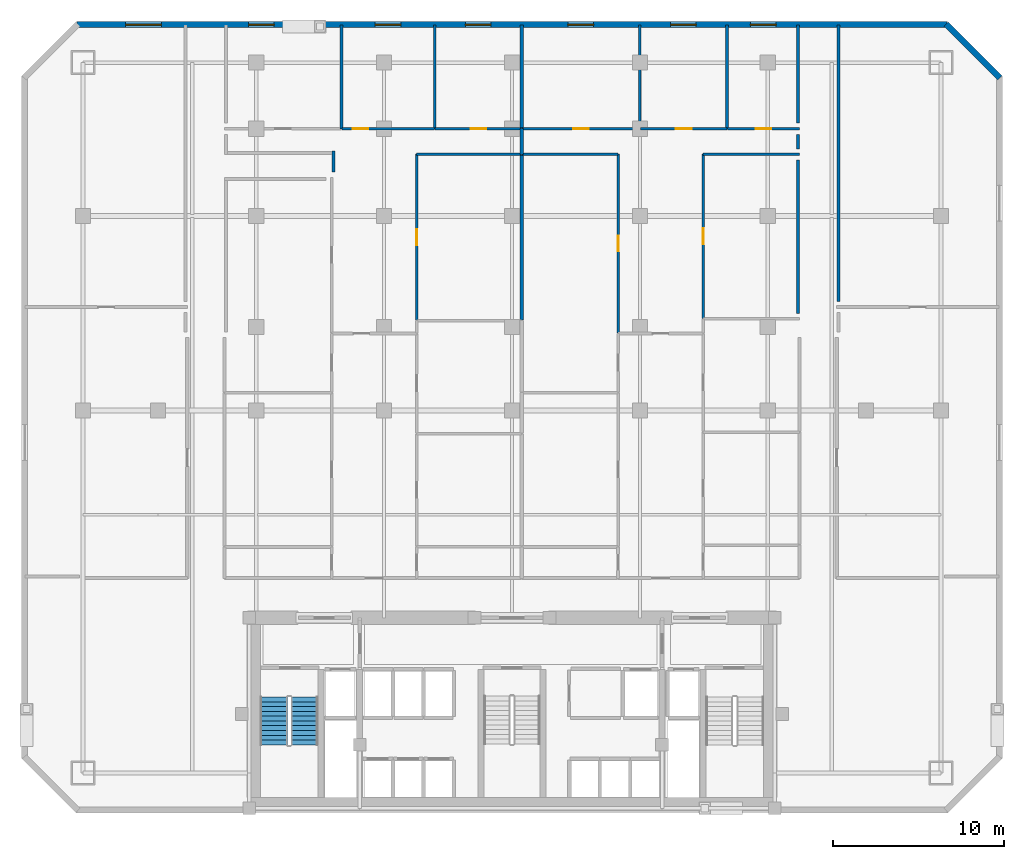
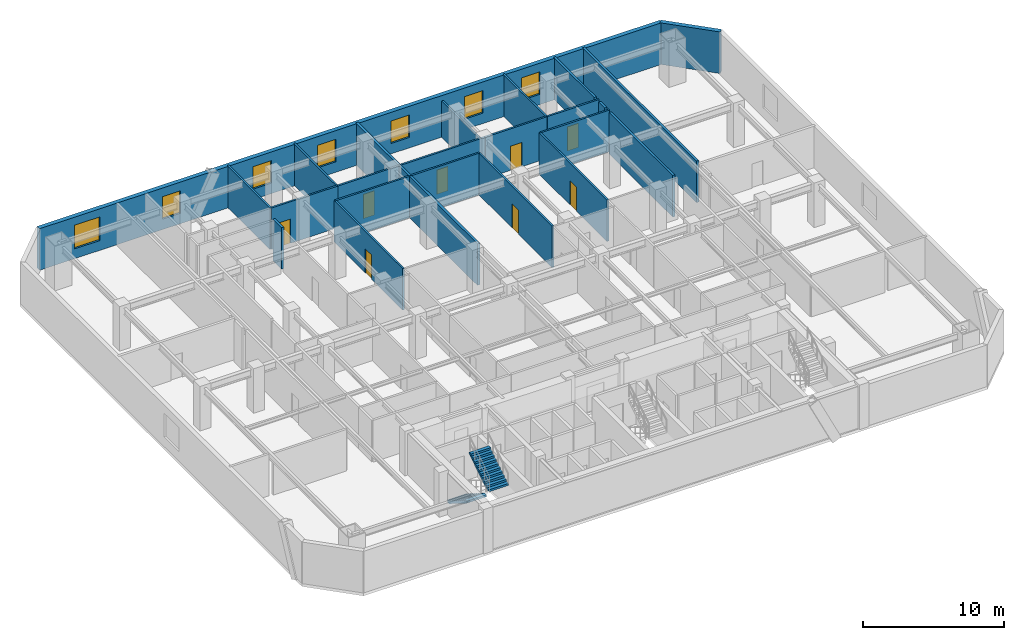
# One storey, part 6 of 8: 25 walls, 8 doors, 7 windows, 2 stair flights, 15 openings, 1 element without a shape of its own.
"""IFC4 building model written with IfcOpenShell, lengths in metres."""

from ifc_helpers import new_model, si_unit, direction, frame, frame_2d, origin, place, context, subcontext, project, spatial, polyline, rectangle, outline, extrude, material, layer, layer_set, type_object, element, fill, aggregate, save


model = new_model("IFC4")

# Units and contexts
model_context = context("Model", 3, precision=1e-05, world=origin(), true_north=direction((0.0, 1.0)))
body_context = subcontext(model_context, "Body", "Model", "MODEL_VIEW")
ifc_project = project(units=[si_unit("LENGTHUNIT", "METRE"), si_unit("AREAUNIT", "SQUARE_METRE"), si_unit("VOLUMEUNIT", "CUBIC_METRE"), si_unit("PLANEANGLEUNIT", "RADIAN"), si_unit("MASSUNIT", "GRAM", prefix="KILO")], contexts=[model_context])

# Site, building, storey
site_placement = place(None, origin())
site = spatial("IfcSite", under=ifc_project, at=site_placement, CompositionType="ELEMENT")
building_placement = place(site_placement, origin())
building = spatial("IfcBuilding", under=site, at=building_placement, Name="Ventersveld Concourse Tower", CompositionType="ELEMENT")
storey_placement = place(building_placement, frame((0.0, 0.0, 33.64990234375)))
storey = spatial("IfcBuildingStorey", under=building, at=storey_placement, Name="L07", CompositionType="ELEMENT", Elevation=33.64990234375)

# Walls
ifc_material_1 = material(Name="Fire-rated autoclaved aerated masonry blockwork", Category="masonry")
ifc_layer_1 = layer(ifc_material_1, 0.179931640625)
ifc_layer_set_1 = layer_set([ifc_layer_1], Name="Fire-rated autoclaved aerated masonry blockwork")
wall_type_1 = type_object("IfcWallType", Name="WL-CORR-180", PredefinedType="PARTITIONING", material=ifc_layer_set_1)
wall_1_placement = place(storey_placement, frame((47.8798828125, 29.9951171875, 0.0), z_axis=(0.0, 0.0, 1.0), x_axis=(0.0, 1.0, 0.0)))
element("IfcWall", 1, at=wall_1_placement, inside=storey, type_object=wall_type_1, Name="L07 Room Enclosure Wall SP-L07-NELNG2", PredefinedType="PARTITIONING", context=body_context, shape_type="SweptSolid", body=[
    extrude(rectangle(XDim=16.19482421875, YDim=0.179931640625, at=frame_2d((8.097412109375, 0.0))), origin(), (0.0, 0.0, 1.0), 3.60009765625),
])
wall_2_placement = place(storey_placement, frame((18.273681640625, 37.580810546875, 0.0), z_axis=(0.0, 0.0, 1.0), x_axis=(0.0, 1.0, 0.0)))
element("IfcWall", 2, at=wall_2_placement, inside=storey, type_object=wall_type_1, Name="L07 Room Enclosure Wall SP-L07-07N1-LIV", PredefinedType="PARTITIONING", context=body_context, shape_type="SweptSolid", body=[
    extrude(rectangle(XDim=1.22412109375, YDim=0.179931640625, at=frame_2d((0.612060546875, 0.0))), origin(), (0.0, 0.0, 1.0), 3.60009765625),
])
wall_3_placement = place(storey_placement, frame((45.52001953125, 39.794921875, 0.0), z_axis=(0.0, 0.0, 1.0), x_axis=(0.0, -1.0, 0.0)))
element("IfcWall", 3, at=wall_3_placement, inside=storey, type_object=wall_type_1, Name="L07 Room Enclosure Wall SP-L07-07N2-LIV", PredefinedType="PARTITIONING", context=body_context, shape_type="SweptSolid", body=[
    extrude(rectangle(XDim=0.849853515625, YDim=0.179931640625, at=frame_2d((0.4248046875, 0.0))), origin(), (0.0, 0.0, 1.0), 3.60009765625),
])
wall_4_placement = place(storey_placement, frame((45.52001953125, 38.294921875, 0.0), z_axis=(0.0, 0.0, 1.0), x_axis=(0.0, -1.0, 0.0)))
element("IfcWall", 4, at=wall_4_placement, inside=storey, type_object=wall_type_1, Name="L07 Room Enclosure Wall SP-L07-07N2-DENS2", PredefinedType="PARTITIONING", context=body_context, shape_type="SweptSolid", body=[
    extrude(rectangle(XDim=9.001708984375, YDim=0.179931640625, at=frame_2d((4.5009765625, 0.0))), origin(), (0.0, 0.0, 1.0), 3.60009765625),
])
wall_5_placement = place(storey_placement, frame((45.52001953125, 46.18994140625, 0.0), z_axis=(0.0, 0.0, 1.0), x_axis=(0.0, -1.0, 0.0)))
element("IfcWall", 5, at=wall_5_placement, inside=storey, type_object=wall_type_1, Name="L07 Room Enclosure Wall SP-L07-07N2-BR3", PredefinedType="PARTITIONING", context=body_context, shape_type="SweptSolid", body=[
    extrude(rectangle(XDim=5.744873046875, YDim=0.179931640625, at=frame_2d((2.87255859375, 0.0))), origin(), (0.0, 0.0, 1.0), 3.60009765625),
])
ifc_layer_2 = layer(ifc_material_1, 0.199951171875)
ifc_layer_set_2 = layer_set([ifc_layer_2], Name="Fire-rated autoclaved aerated masonry blockwork")
wall_type_2 = type_object("IfcWallType", Name="WL-DEMISE-200", PredefinedType="PARTITIONING", material=ifc_layer_set_2)
wall_6_placement = place(storey_placement, frame((29.314208984375, 38.614990234375, 0.0), z_axis=(0.0, 0.0, 1.0), x_axis=(0.0, 1.0, 0.0)))
element("IfcWall", 6, at=wall_6_placement, inside=storey, type_object=wall_type_2, Name="L07 Interior Partition SP-L07-07N1-LIV-SP-L07-07N2-LIV", PredefinedType="PARTITIONING", context=body_context, shape_type="SweptSolid", body=[
    extrude(rectangle(XDim=1.510009765625, YDim=0.199951171875, at=frame_2d((0.7548828125, 0.0))), origin(), (0.0, 0.0, 1.0), 3.60009765625),
])
wall_7_placement = place(storey_placement, frame((29.314208984375, 28.90087890625, 0.0), z_axis=(0.0, 0.0, 1.0), x_axis=(0.0, 1.0, 0.0)))
element("IfcWall", 7, at=wall_7_placement, inside=storey, type_object=wall_type_2, Name="L07 Interior Partition SP-L07-07N1-DENS2-SP-L07-07N2-DENL2", PredefinedType="PARTITIONING", context=body_context, shape_type="SweptSolid", body=[
    extrude(rectangle(XDim=9.68408203125, YDim=0.199951171875, at=frame_2d((4.842041015625, 0.0))), origin(), (0.0, 0.0, 1.0), 3.60009765625),
])
wall_8_placement = place(storey_placement, frame((29.314208984375, 40.155029296875, 0.0), z_axis=(0.0, 0.0, 1.0), x_axis=(0.0, 1.0, 0.0)))
element("IfcWall", 8, at=wall_8_placement, inside=storey, type_object=wall_type_2, Name="L07 Interior Partition SP-L07-07N1-BR3-SP-L07-07N2-BR1", PredefinedType="PARTITIONING", context=body_context, shape_type="SweptSolid", body=[
    extrude(rectangle(XDim=6.034912109375, YDim=0.199951171875, at=frame_2d((3.017578125, 0.0))), origin(), (0.0, 0.0, 1.0), 3.60009765625),
])

# Wall, opening, door
ifc_material_2 = material(Name="Autoclaved aerated masonry blockwork", Category="masonry")
ifc_layer_3 = layer(ifc_material_2, 0.14990234375)
ifc_layer_set_3 = layer_set([ifc_layer_3], Name="Autoclaved aerated masonry blockwork")
wall_type_3 = type_object("IfcWallType", Name="WL-INT-150", PredefinedType="PARTITIONING", material=ifc_layer_set_3)
wall_9_placement = place(storey_placement, frame((23.163818359375, 28.90087890625, 0.0), z_axis=(0.0, 0.0, 1.0), x_axis=(0.0, 1.0, 0.0)))
wall_9 = element("IfcWall", 9, at=wall_9_placement, inside=storey, type_object=wall_type_3, Name="L07 Interior Partition SP-L07-07N1-LIV-SP-L07-07N1-DENS2", PredefinedType="PARTITIONING", context=body_context, shape_type="SweptSolid", body=[
    extrude(rectangle(XDim=9.72412109375, YDim=0.14990234375, at=frame_2d((4.862060546875, 0.0))), origin(), (0.0, 0.0, 1.0), 3.60009765625),
])
opening_1_placement = place(wall_9_placement, frame((4.402099609375, 0.0, 0.0)))
opening_1 = element("IfcOpeningElement", 10, at=opening_1_placement, cuts=wall_9, Name="Opening ID1", PredefinedType="OPENING", context=body_context, shape_type="SweptSolid", body=[
    extrude(rectangle(XDim=0.919921875, YDim=2.10009765625, at=frame_2d((0.4599609375, 1.050048828125))), frame((0.0, 0.0849609375, 0.0), z_axis=(0.0, -1.0, 0.0), x_axis=(1.0, 0.0, 0.0)), (0.0, 0.0, 1.0), 0.169921875),
])
ifc_material_3 = material(Name="Solid-core hardwood veneer timber", Category="wood")
door_type = type_object("IfcDoorType", Name="DR-ROOM-092", OperationType="NOTDEFINED", PredefinedType="DOOR", material=ifc_material_3)
door_1_placement = place(opening_1_placement, origin())
door_1 = element("IfcDoor", 11, at=door_1_placement, inside=storey, type_object=door_type, Name="L07 Interior Door SP-L07-07N1-LIV to SP-L07-07N1-DENS2 (D-L07-0240)", OperationType="SINGLE_SWING_RIGHT", OverallHeight=2.10009765625, OverallWidth=0.919921875, PredefinedType="DOOR", context=body_context, shape_type="SweptSolid", body=[
    extrude(rectangle(XDim=0.919921875, YDim=2.10009765625, at=frame_2d((0.4599609375, 1.050048828125))), frame((0.0, 0.02490234375, 0.0), z_axis=(0.0, -1.0, 0.0), x_axis=(1.0, 0.0, 0.0)), (0.0, 0.0, 1.0), 0.050048828125),
])
fill(opening_1, door_1)

# Wall
wall_10_placement = place(storey_placement, frame((23.15869140625, 38.6201171875, 0.0), z_axis=(0.0, 0.0, 1.0), x_axis=(1.0, 0.0, 0.0)))
element("IfcWall", 12, at=wall_10_placement, inside=storey, type_object=wall_type_3, Name="L07 Interior Partition SP-L07-07N1-LIV-SP-L07-07N1-DENS2", PredefinedType="PARTITIONING", context=body_context, shape_type="SweptSolid", body=[
    extrude(rectangle(XDim=6.160400390625, YDim=0.14990234375, at=frame_2d((3.080078125, 0.0))), origin(), (0.0, 0.0, 1.0), 3.60009765625),
])

# Wall, opening, door
wall_11_placement = place(storey_placement, frame((18.788330078125, 40.1201171875, 0.0), z_axis=(0.0, 0.0, 1.0), x_axis=(1.0, 0.0, 0.0)))
wall_11 = element("IfcWall", 13, at=wall_11_placement, inside=storey, type_object=wall_type_3, Name="L07 Interior Partition SP-L07-07N1-LIV-SP-L07-07N1-BR2", PredefinedType="PARTITIONING", context=body_context, shape_type="SweptSolid", body=[
    extrude(rectangle(XDim=5.42626953125, YDim=0.14990234375, at=frame_2d((2.713134765625, 0.0))), origin(), (0.0, 0.0, 1.0), 3.60009765625),
])
opening_2_placement = place(wall_11_placement, frame((0.625244140625, 0.0, 0.0)))
opening_2 = element("IfcOpeningElement", 14, at=opening_2_placement, cuts=wall_11, Name="Opening ID1", PredefinedType="OPENING", context=body_context, shape_type="SweptSolid", body=[
    extrude(rectangle(XDim=0.919921875, YDim=2.10009765625, at=frame_2d((0.4599609375, 1.050048828125))), frame((0.0, 0.0849609375, 0.0), z_axis=(0.0, -1.0, 0.0), x_axis=(1.0, 0.0, 0.0)), (0.0, 0.0, 1.0), 0.169921875),
])
door_2_placement = place(opening_2_placement, origin())
door_2 = element("IfcDoor", 15, at=door_2_placement, inside=storey, type_object=door_type, Name="L07 Interior Door SP-L07-07N1-LIV to SP-L07-07N1-BR2 (D-L07-0242)", OperationType="SINGLE_SWING_RIGHT", OverallHeight=2.10009765625, OverallWidth=0.919921875, PredefinedType="DOOR", context=body_context, shape_type="SweptSolid", body=[
    extrude(rectangle(XDim=0.919921875, YDim=2.10009765625, at=frame_2d((0.4599609375, 1.050048828125))), frame((0.0, 0.02490234375, 0.0), z_axis=(0.0, -1.0, 0.0), x_axis=(1.0, 0.0, 0.0)), (0.0, 0.0, 1.0), 0.050048828125),
])
fill(opening_2, door_2)

wall_12_placement = place(storey_placement, frame((24.24462890625, 40.1201171875, 0.0), z_axis=(0.0, 0.0, 1.0), x_axis=(1.0, 0.0, 0.0)))
wall_12 = element("IfcWall", 16, at=wall_12_placement, inside=storey, type_object=wall_type_3, Name="L07 Interior Partition SP-L07-07N1-LIV-SP-L07-07N1-BR3", PredefinedType="PARTITIONING", context=body_context, shape_type="SweptSolid", body=[
    extrude(rectangle(XDim=5.074462890625, YDim=0.14990234375, at=frame_2d((2.537109375, 0.0))), origin(), (0.0, 0.0, 1.0), 3.60009765625),
])
opening_3_placement = place(wall_12_placement, frame((2.0771484375, 0.0, 0.0)))
opening_3 = element("IfcOpeningElement", 17, at=opening_3_placement, cuts=wall_12, Name="Opening ID1", PredefinedType="OPENING", context=body_context, shape_type="SweptSolid", body=[
    extrude(rectangle(XDim=0.919921875, YDim=2.10009765625, at=frame_2d((0.4599609375, 1.050048828125))), frame((0.0, 0.0849609375, 0.0), z_axis=(0.0, -1.0, 0.0), x_axis=(1.0, 0.0, 0.0)), (0.0, 0.0, 1.0), 0.169921875),
])
door_3_placement = place(opening_3_placement, origin())
door_3 = element("IfcDoor", 18, at=door_3_placement, inside=storey, type_object=door_type, Name="L07 Interior Door SP-L07-07N1-LIV to SP-L07-07N1-BR3 (D-L07-0243)", OperationType="SINGLE_SWING_LEFT", OverallHeight=2.10009765625, OverallWidth=0.919921875, PredefinedType="DOOR", context=body_context, shape_type="SweptSolid", body=[
    extrude(rectangle(XDim=0.919921875, YDim=2.10009765625, at=frame_2d((0.4599609375, 1.050048828125))), frame((0.0, 0.02490234375, 0.0), z_axis=(0.0, -1.0, 0.0), x_axis=(1.0, 0.0, 0.0)), (0.0, 0.0, 1.0), 0.050048828125),
])
fill(opening_3, door_3)

# Walls
for number, where, z_axis, x_axis, name in (
    (19, (18.75341796875, 40.114990234375, 0.0), (0.0, 0.0, 1.0), (0.0, 1.0, 0.0), "L07 Interior Partition SP-L07-07N1-BR1-SP-L07-07N1-BR2"),
    (20, (24.209716796875, 40.114990234375, 0.0), (0.0, 0.0, 1.0), (0.0, 1.0, 0.0), "L07 Interior Partition SP-L07-07N1-BR2-SP-L07-07N1-BR3"),
):
    element("IfcWall", number, at=place(storey_placement, frame(where, z_axis=z_axis, x_axis=x_axis)), inside=storey, type_object=wall_type_3, Name=name, PredefinedType="PARTITIONING", context=body_context, shape_type="SweptSolid", body=[
        extrude(rectangle(XDim=6.074951171875, YDim=0.14990234375, at=frame_2d((3.03759765625, 0.0))), origin(), (0.0, 0.0, 1.0), 3.60009765625),
    ])

# Wall, opening, door
wall_13_placement = place(storey_placement, frame((34.97216796875, 28.151611328125, 0.0), z_axis=(0.0, 0.0, 1.0), x_axis=(0.0, 1.0, 0.0)))
wall_13 = element("IfcWall", 21, at=wall_13_placement, inside=storey, type_object=wall_type_3, Name="L07 Interior Partition SP-L07-07N2-LIV-SP-L07-07N2-DENL2", PredefinedType="PARTITIONING", context=body_context, shape_type="SweptSolid", body=[
    extrude(rectangle(XDim=10.473388671875, YDim=0.14990234375, at=frame_2d((5.23681640625, 0.0))), origin(), (0.0, 0.0, 1.0), 3.60009765625),
])
opening_4_placement = place(wall_13_placement, frame((4.776611328125, 0.0, 0.0)))
opening_4 = element("IfcOpeningElement", 22, at=opening_4_placement, cuts=wall_13, Name="Opening ID1", PredefinedType="OPENING", context=body_context, shape_type="SweptSolid", body=[
    extrude(rectangle(XDim=0.919921875, YDim=2.10009765625, at=frame_2d((0.4599609375, 1.050048828125))), frame((0.0, 0.0849609375, 0.0), z_axis=(0.0, -1.0, 0.0), x_axis=(1.0, 0.0, 0.0)), (0.0, 0.0, 1.0), 0.169921875),
])
door_4_placement = place(opening_4_placement, origin())
door_4 = element("IfcDoor", 23, at=door_4_placement, inside=storey, type_object=door_type, Name="L07 Interior Door SP-L07-07N2-LIV to SP-L07-07N2-DENL2 (D-L07-0251)", OperationType="SINGLE_SWING_LEFT", OverallHeight=2.10009765625, OverallWidth=0.919921875, PredefinedType="DOOR", context=body_context, shape_type="SweptSolid", body=[
    extrude(rectangle(XDim=0.919921875, YDim=2.10009765625, at=frame_2d((0.4599609375, 1.050048828125))), frame((0.0, 0.02490234375, 0.0), z_axis=(0.0, -1.0, 0.0), x_axis=(1.0, 0.0, 0.0)), (0.0, 0.0, 1.0), 0.050048828125),
])
fill(opening_4, door_4)

# Wall
wall_14_placement = place(storey_placement, frame((29.34912109375, 38.6201171875, 0.0), z_axis=(0.0, 0.0, 1.0), x_axis=(1.0, 0.0, 0.0)))
element("IfcWall", 24, at=wall_14_placement, inside=storey, type_object=wall_type_3, Name="L07 Interior Partition SP-L07-07N2-LIV-SP-L07-07N2-DENL2", PredefinedType="PARTITIONING", context=body_context, shape_type="SweptSolid", body=[
    extrude(rectangle(XDim=5.6279296875, YDim=0.14990234375, at=frame_2d((2.81396484375, 0.0))), origin(), (0.0, 0.0, 1.0), 3.60009765625),
])

# Wall, opening, door
wall_15_placement = place(storey_placement, frame((39.9521484375, 29.00341796875, 0.0), z_axis=(0.0, 0.0, 1.0), x_axis=(0.0, 1.0, 0.0)))
wall_15 = element("IfcWall", 25, at=wall_15_placement, inside=storey, type_object=wall_type_3, Name="L07 Interior Partition SP-L07-07N2-LIV-SP-L07-07N2-DENS2", PredefinedType="PARTITIONING", context=body_context, shape_type="SweptSolid", body=[
    extrude(rectangle(XDim=9.62158203125, YDim=0.14990234375, at=frame_2d((4.810791015625, 0.0))), origin(), (0.0, 0.0, 1.0), 3.60009765625),
])
opening_5_placement = place(wall_15_placement, frame((4.350830078125, 0.0, 0.0)))
opening_5 = element("IfcOpeningElement", 26, at=opening_5_placement, cuts=wall_15, Name="Opening ID1", PredefinedType="OPENING", context=body_context, shape_type="SweptSolid", body=[
    extrude(rectangle(XDim=0.919921875, YDim=2.10009765625, at=frame_2d((0.4599609375, 1.050048828125))), frame((0.0, 0.0849609375, 0.0), z_axis=(0.0, -1.0, 0.0), x_axis=(1.0, 0.0, 0.0)), (0.0, 0.0, 1.0), 0.169921875),
])
door_5_placement = place(opening_5_placement, origin())
door_5 = element("IfcDoor", 27, at=door_5_placement, inside=storey, type_object=door_type, Name="L07 Interior Door SP-L07-07N2-LIV to SP-L07-07N2-DENS2 (D-L07-0252)", OperationType="SINGLE_SWING_RIGHT", OverallHeight=2.10009765625, OverallWidth=0.919921875, PredefinedType="DOOR", context=body_context, shape_type="SweptSolid", body=[
    extrude(rectangle(XDim=0.919921875, YDim=2.10009765625, at=frame_2d((0.4599609375, 1.050048828125))), frame((0.0, 0.02490234375, 0.0), z_axis=(0.0, -1.0, 0.0), x_axis=(1.0, 0.0, 0.0)), (0.0, 0.0, 1.0), 0.050048828125),
])
fill(opening_5, door_5)

# Wall
wall_16_placement = place(storey_placement, frame((39.947021484375, 38.6201171875, 0.0), z_axis=(0.0, 0.0, 1.0), x_axis=(1.0, 0.0, 0.0)))
element("IfcWall", 28, at=wall_16_placement, inside=storey, type_object=wall_type_3, Name="L07 Interior Partition SP-L07-07N2-LIV-SP-L07-07N2-DENS2", PredefinedType="PARTITIONING", context=body_context, shape_type="SweptSolid", body=[
    extrude(rectangle(XDim=5.66796875, YDim=0.14990234375, at=frame_2d((2.833984375, 0.0))), origin(), (0.0, 0.0, 1.0), 3.60009765625),
])

# Wall, opening, door
wall_17_placement = place(storey_placement, frame((29.34912109375, 40.1201171875, 0.0), z_axis=(0.0, 0.0, 1.0), x_axis=(1.0, 0.0, 0.0)))
wall_17 = element("IfcWall", 29, at=wall_17_placement, inside=storey, type_object=wall_type_3, Name="L07 Interior Partition SP-L07-07N2-LIV-SP-L07-07N2-BR1", PredefinedType="PARTITIONING", context=body_context, shape_type="SweptSolid", body=[
    extrude(rectangle(XDim=6.90576171875, YDim=0.14990234375, at=frame_2d((3.452880859375, 0.0))), origin(), (0.0, 0.0, 1.0), 3.60009765625),
])
opening_6_placement = place(wall_17_placement, frame((2.992919921875, 0.0, 0.0)))
opening_6 = element("IfcOpeningElement", 30, at=opening_6_placement, cuts=wall_17, Name="Opening ID1", PredefinedType="OPENING", context=body_context, shape_type="SweptSolid", body=[
    extrude(rectangle(XDim=0.919921875, YDim=2.10009765625, at=frame_2d((0.4599609375, 1.050048828125))), frame((0.0, 0.0849609375, 0.0), z_axis=(0.0, -1.0, 0.0), x_axis=(1.0, 0.0, 0.0)), (0.0, 0.0, 1.0), 0.169921875),
])
door_6_placement = place(opening_6_placement, origin())
door_6 = element("IfcDoor", 31, at=door_6_placement, inside=storey, type_object=door_type, Name="L07 Interior Door SP-L07-07N2-LIV to SP-L07-07N2-BR1 (D-L07-0253)", OperationType="SINGLE_SWING_LEFT", OverallHeight=2.10009765625, OverallWidth=0.919921875, PredefinedType="DOOR", context=body_context, shape_type="SweptSolid", body=[
    extrude(rectangle(XDim=0.919921875, YDim=2.10009765625, at=frame_2d((0.4599609375, 1.050048828125))), frame((0.0, 0.02490234375, 0.0), z_axis=(0.0, -1.0, 0.0), x_axis=(1.0, 0.0, 0.0)), (0.0, 0.0, 1.0), 0.050048828125),
])
fill(opening_6, door_6)

wall_18_placement = place(storey_placement, frame((36.284912109375, 40.1201171875, 0.0), z_axis=(0.0, 0.0, 1.0), x_axis=(1.0, 0.0, 0.0)))
wall_18 = element("IfcWall", 32, at=wall_18_placement, inside=storey, type_object=wall_type_3, Name="L07 Interior Partition SP-L07-07N2-LIV-SP-L07-07N2-BR2", PredefinedType="PARTITIONING", context=body_context, shape_type="SweptSolid", body=[
    extrude(rectangle(XDim=5.07373046875, YDim=0.14990234375, at=frame_2d((2.536865234375, 0.0))), origin(), (0.0, 0.0, 1.0), 3.60009765625),
])
opening_7_placement = place(wall_18_placement, frame((2.076904296875, 0.0, 0.0)))
opening_7 = element("IfcOpeningElement", 33, at=opening_7_placement, cuts=wall_18, Name="Opening ID1", PredefinedType="OPENING", context=body_context, shape_type="SweptSolid", body=[
    extrude(rectangle(XDim=0.919921875, YDim=2.10009765625, at=frame_2d((0.4599609375, 1.050048828125))), frame((0.0, 0.0849609375, 0.0), z_axis=(0.0, -1.0, 0.0), x_axis=(1.0, 0.0, 0.0)), (0.0, 0.0, 1.0), 0.169921875),
])
door_7_placement = place(opening_7_placement, origin())
door_7 = element("IfcDoor", 34, at=door_7_placement, inside=storey, type_object=door_type, Name="L07 Interior Door SP-L07-07N2-LIV to SP-L07-07N2-BR2 (D-L07-0254)", OperationType="SINGLE_SWING_RIGHT", OverallHeight=2.10009765625, OverallWidth=0.919921875, PredefinedType="DOOR", context=body_context, shape_type="SweptSolid", body=[
    extrude(rectangle(XDim=0.919921875, YDim=2.10009765625, at=frame_2d((0.4599609375, 1.050048828125))), frame((0.0, 0.02490234375, 0.0), z_axis=(0.0, -1.0, 0.0), x_axis=(1.0, 0.0, 0.0)), (0.0, 0.0, 1.0), 0.050048828125),
])
fill(opening_7, door_7)

wall_19_placement = place(storey_placement, frame((41.388671875, 40.1201171875, 0.0), z_axis=(0.0, 0.0, 1.0), x_axis=(1.0, 0.0, 0.0)))
wall_19 = element("IfcWall", 35, at=wall_19_placement, inside=storey, type_object=wall_type_3, Name="L07 Interior Partition SP-L07-07N2-LIV-SP-L07-07N2-BR3", PredefinedType="PARTITIONING", context=body_context, shape_type="SweptSolid", body=[
    extrude(rectangle(XDim=4.226318359375, YDim=0.14990234375, at=frame_2d((2.11328125, 0.0))), origin(), (0.0, 0.0, 1.0), 3.60009765625),
])
opening_8_placement = place(wall_19_placement, frame((1.6533203125, 0.0, 0.0)))
opening_8 = element("IfcOpeningElement", 36, at=opening_8_placement, cuts=wall_19, Name="Opening ID1", PredefinedType="OPENING", context=body_context, shape_type="SweptSolid", body=[
    extrude(rectangle(XDim=0.919921875, YDim=2.10009765625, at=frame_2d((0.4599609375, 1.050048828125))), frame((0.0, 0.0849609375, 0.0), z_axis=(0.0, -1.0, 0.0), x_axis=(1.0, 0.0, 0.0)), (0.0, 0.0, 1.0), 0.169921875),
])
door_8_placement = place(opening_8_placement, origin())
door_8 = element("IfcDoor", 37, at=door_8_placement, inside=storey, type_object=door_type, Name="L07 Interior Door SP-L07-07N2-LIV to SP-L07-07N2-BR3 (D-L07-0255)", OperationType="SINGLE_SWING_LEFT", OverallHeight=2.10009765625, OverallWidth=0.919921875, PredefinedType="DOOR", context=body_context, shape_type="SweptSolid", body=[
    extrude(rectangle(XDim=0.919921875, YDim=2.10009765625, at=frame_2d((0.4599609375, 1.050048828125))), frame((0.0, 0.02490234375, 0.0), z_axis=(0.0, -1.0, 0.0), x_axis=(1.0, 0.0, 0.0)), (0.0, 0.0, 1.0), 0.050048828125),
])
fill(opening_8, door_8)

# Walls
wall_20_placement = place(storey_placement, frame((36.25, 40.114990234375, 0.0), z_axis=(0.0, 0.0, 1.0), x_axis=(0.0, 1.0, 0.0)))
element("IfcWall", 38, at=wall_20_placement, inside=storey, type_object=wall_type_3, Name="L07 Interior Partition SP-L07-07N2-BR1-SP-L07-07N2-BR2", PredefinedType="PARTITIONING", context=body_context, shape_type="SweptSolid", body=[
    extrude(rectangle(XDim=6.074951171875, YDim=0.14990234375, at=frame_2d((3.03759765625, 0.0))), origin(), (0.0, 0.0, 1.0), 3.14013671875),
])
wall_21_placement = place(storey_placement, frame((41.353759765625, 40.114990234375, 0.0), z_axis=(0.0, 0.0, 1.0), x_axis=(0.0, 1.0, 0.0)))
element("IfcWall", 39, at=wall_21_placement, inside=storey, type_object=wall_type_3, Name="L07 Interior Partition SP-L07-07N2-BR2-SP-L07-07N2-BR3", PredefinedType="PARTITIONING", context=body_context, shape_type="SweptSolid", body=[
    extrude(rectangle(XDim=6.074951171875, YDim=0.14990234375, at=frame_2d((3.03759765625, 0.0))), origin(), (0.0, 0.0, 1.0), 3.60009765625),
])
ifc_material_4 = material(Name="Precast concrete C45/55", Category="concrete")
ifc_layer_4 = layer(ifc_material_4, 0.35009765625)
ifc_layer_set_4 = layer_set([ifc_layer_4], Name="Precast concrete C45/55")
wall_type_4 = type_object("IfcWallType", Name="WL-PREC-350", PredefinedType="SOLIDWALL", material=ifc_layer_set_4)
wall_22_placement = place(storey_placement, frame((57.347900390625, 43.1044921875, 0.0), z_axis=(0.0, 0.0, 1.0), x_axis=(-0.707079321262, 0.707134240044, 0.0)))
element("IfcWall", 40, at=wall_22_placement, inside=storey, type_object=wall_type_4, Name="L07 Highveld Precast Facade Wall E04", PredefinedType="SOLIDWALL", context=body_context, shape_type="SweptSolid", body=[
    extrude(rectangle(XDim=4.445556640625, YDim=0.35009765625, at=frame_2d((2.22265625, 0.0))), origin(), (0.0, 0.0, 1.0), 3.60009765625),
])

# Wall, openings, windows
wall_23_placement = place(storey_placement, frame((54.260009765625, 46.22509765625, 0.0), z_axis=(0.0, 0.0, 1.0), x_axis=(-1.0, 0.0, 0.0)))
wall_23 = element("IfcWall", 41, at=wall_23_placement, inside=storey, type_object=wall_type_4, Name="L07 Highveld Precast Facade Wall E05", PredefinedType="SOLIDWALL", context=body_context, shape_type="SweptSolid", body=[
    extrude(rectangle(XDim=51.02001953125, YDim=0.35009765625, at=frame_2d((25.510009765625, 0.0))), origin(), (0.0, 0.0, 1.0), 3.60009765625),
])
opening_9_placement = place(wall_23_placement, frame((46.0673828125, 0.0, 0.85009765625)))
opening_9 = element("IfcOpeningElement", 42, at=opening_9_placement, cuts=wall_23, Name="Opening W7", PredefinedType="OPENING", context=body_context, shape_type="SweptSolid", body=[
    extrude(rectangle(XDim=2.10009765625, YDim=2.050048828125, at=frame_2d((1.050048828125, 1.02490234375))), frame((0.0, 0.18505859375, 0.0), z_axis=(0.0, -1.0, 0.0), x_axis=(1.0, 0.0, 0.0)), (0.0, 0.0, 1.0), 0.3701171875),
])
opening_10_placement = place(wall_23_placement, frame((39.453369140625, 0.0, 0.89990234375)))
opening_10 = element("IfcOpeningElement", 43, at=opening_10_placement, cuts=wall_23, Name="Opening W1", PredefinedType="OPENING", context=body_context, shape_type="SweptSolid", body=[
    extrude(rectangle(XDim=1.5, YDim=1.949951171875, at=frame_2d((0.75, 0.97509765625))), frame((0.0, 0.18505859375, 0.0), z_axis=(0.0, -1.0, 0.0), x_axis=(1.0, 0.0, 0.0)), (0.0, 0.0, 1.0), 0.3701171875),
])
opening_11_placement = place(wall_23_placement, frame((32.028564453125, 0.0, 0.89990234375)))
opening_11 = element("IfcOpeningElement", 44, at=opening_11_placement, cuts=wall_23, Name="Opening W1", PredefinedType="OPENING", context=body_context, shape_type="SweptSolid", body=[
    extrude(rectangle(XDim=1.5, YDim=1.949951171875, at=frame_2d((0.75, 0.97509765625))), frame((0.0, 0.18505859375, 0.0), z_axis=(0.0, -1.0, 0.0), x_axis=(1.0, 0.0, 0.0)), (0.0, 0.0, 1.0), 0.3701171875),
])
opening_12_placement = place(wall_23_placement, frame((26.748046875, 0.0, 0.89990234375)))
opening_12 = element("IfcOpeningElement", 45, at=opening_12_placement, cuts=wall_23, Name="Opening W1", PredefinedType="OPENING", context=body_context, shape_type="SweptSolid", body=[
    extrude(rectangle(XDim=1.5, YDim=1.949951171875, at=frame_2d((0.75, 0.97509765625))), frame((0.0, 0.18505859375, 0.0), z_axis=(0.0, -1.0, 0.0), x_axis=(1.0, 0.0, 0.0)), (0.0, 0.0, 1.0), 0.3701171875),
])
opening_13_placement = place(wall_23_placement, frame((20.72802734375, 0.0, 0.89990234375)))
opening_13 = element("IfcOpeningElement", 46, at=opening_13_placement, cuts=wall_23, Name="Opening W1", PredefinedType="OPENING", context=body_context, shape_type="SweptSolid", body=[
    extrude(rectangle(XDim=1.5, YDim=1.949951171875, at=frame_2d((0.75, 0.97509765625))), frame((0.0, 0.18505859375, 0.0), z_axis=(0.0, -1.0, 0.0), x_axis=(1.0, 0.0, 0.0)), (0.0, 0.0, 1.0), 0.3701171875),
])
opening_14_placement = place(wall_23_placement, frame((14.7080078125, 0.0, 0.89990234375)))
opening_14 = element("IfcOpeningElement", 47, at=opening_14_placement, cuts=wall_23, Name="Opening W1", PredefinedType="OPENING", context=body_context, shape_type="SweptSolid", body=[
    extrude(rectangle(XDim=1.5, YDim=1.949951171875, at=frame_2d((0.75, 0.97509765625))), frame((0.0, 0.18505859375, 0.0), z_axis=(0.0, -1.0, 0.0), x_axis=(1.0, 0.0, 0.0)), (0.0, 0.0, 1.0), 0.3701171875),
])
opening_15_placement = place(wall_23_placement, frame((10.028076171875, 0.0, 0.89990234375)))
opening_15 = element("IfcOpeningElement", 48, at=opening_15_placement, cuts=wall_23, Name="Opening W1", PredefinedType="OPENING", context=body_context, shape_type="SweptSolid", body=[
    extrude(rectangle(XDim=1.5, YDim=1.949951171875, at=frame_2d((0.75, 0.97509765625))), frame((0.0, 0.18505859375, 0.0), z_axis=(0.0, -1.0, 0.0), x_axis=(1.0, 0.0, 0.0)), (0.0, 0.0, 1.0), 0.3701171875),
])
ifc_material_5 = material(Name="Tempered acoustic Low-E IGU", Category="glass")
window_type_1 = type_object("IfcWindowType", Name="WIN-150x210", PartitioningType="SINGLE_PANEL", PredefinedType="WINDOW", material=ifc_material_5)
window_1_placement = place(opening_10_placement, origin())
window_1 = element("IfcWindow", 49, at=window_1_placement, inside=storey, type_object=window_type_1, Name="L07 Punched Low-E Window W-0017", OverallHeight=1.949951171875, OverallWidth=1.5, PartitioningType="SINGLE_PANEL", PredefinedType="WINDOW", context=body_context, shape_type="SweptSolid", body=[
    extrude(rectangle(XDim=1.5, YDim=1.949951171875, at=frame_2d((0.75, 0.97509765625))), frame((0.0, 0.030029296875, 0.0), z_axis=(0.0, -1.0, 0.0), x_axis=(1.0, 0.0, 0.0)), (0.0, 0.0, 1.0), 0.06005859375),
])
fill(opening_10, window_1)
window_2_placement = place(opening_11_placement, origin())
window_2 = element("IfcWindow", 50, at=window_2_placement, inside=storey, type_object=window_type_1, Name="L07 Punched Low-E Window W-0018", OverallHeight=1.949951171875, OverallWidth=1.5, PartitioningType="SINGLE_PANEL", PredefinedType="WINDOW", context=body_context, shape_type="SweptSolid", body=[
    extrude(rectangle(XDim=1.5, YDim=1.949951171875, at=frame_2d((0.75, 0.97509765625))), frame((0.0, 0.030029296875, 0.0), z_axis=(0.0, -1.0, 0.0), x_axis=(1.0, 0.0, 0.0)), (0.0, 0.0, 1.0), 0.06005859375),
])
fill(opening_11, window_2)
window_3_placement = place(opening_12_placement, origin())
window_3 = element("IfcWindow", 51, at=window_3_placement, inside=storey, type_object=window_type_1, Name="L07 Punched Low-E Window W-0019", OverallHeight=1.949951171875, OverallWidth=1.5, PartitioningType="SINGLE_PANEL", PredefinedType="WINDOW", context=body_context, shape_type="SweptSolid", body=[
    extrude(rectangle(XDim=1.5, YDim=1.949951171875, at=frame_2d((0.75, 0.97509765625))), frame((0.0, 0.030029296875, 0.0), z_axis=(0.0, -1.0, 0.0), x_axis=(1.0, 0.0, 0.0)), (0.0, 0.0, 1.0), 0.06005859375),
])
fill(opening_12, window_3)
window_4_placement = place(opening_13_placement, origin())
window_4 = element("IfcWindow", 52, at=window_4_placement, inside=storey, type_object=window_type_1, Name="L07 Punched Low-E Window W-0020", OverallHeight=1.949951171875, OverallWidth=1.5, PartitioningType="SINGLE_PANEL", PredefinedType="WINDOW", context=body_context, shape_type="SweptSolid", body=[
    extrude(rectangle(XDim=1.5, YDim=1.949951171875, at=frame_2d((0.75, 0.97509765625))), frame((0.0, 0.030029296875, 0.0), z_axis=(0.0, -1.0, 0.0), x_axis=(1.0, 0.0, 0.0)), (0.0, 0.0, 1.0), 0.06005859375),
])
fill(opening_13, window_4)
window_5_placement = place(opening_14_placement, origin())
window_5 = element("IfcWindow", 53, at=window_5_placement, inside=storey, type_object=window_type_1, Name="L07 Punched Low-E Window W-0021", OverallHeight=1.949951171875, OverallWidth=1.5, PartitioningType="SINGLE_PANEL", PredefinedType="WINDOW", context=body_context, shape_type="SweptSolid", body=[
    extrude(rectangle(XDim=1.5, YDim=1.949951171875, at=frame_2d((0.75, 0.97509765625))), frame((0.0, 0.030029296875, 0.0), z_axis=(0.0, -1.0, 0.0), x_axis=(1.0, 0.0, 0.0)), (0.0, 0.0, 1.0), 0.06005859375),
])
fill(opening_14, window_5)
window_6_placement = place(opening_15_placement, origin())
window_6 = element("IfcWindow", 54, at=window_6_placement, inside=storey, type_object=window_type_1, Name="L07 Punched Low-E Window W-0022", OverallHeight=1.949951171875, OverallWidth=1.5, PartitioningType="SINGLE_PANEL", PredefinedType="WINDOW", context=body_context, shape_type="SweptSolid", body=[
    extrude(rectangle(XDim=1.5, YDim=1.949951171875, at=frame_2d((0.75, 0.97509765625))), frame((0.0, 0.030029296875, 0.0), z_axis=(0.0, -1.0, 0.0), x_axis=(1.0, 0.0, 0.0)), (0.0, 0.0, 1.0), 0.06005859375),
])
fill(opening_15, window_6)
window_type_2 = type_object("IfcWindowType", Name="WIN-210x205", PartitioningType="SINGLE_PANEL", PredefinedType="WINDOW", material=ifc_material_5)
window_7_placement = place(opening_9_placement, origin())
window_7 = element("IfcWindow", 55, at=window_7_placement, inside=storey, type_object=window_type_2, Name="L07 Punched Low-E Window W-0014", OverallHeight=2.050048828125, OverallWidth=2.10009765625, PartitioningType="SINGLE_PANEL", PredefinedType="WINDOW", context=body_context, shape_type="SweptSolid", body=[
    extrude(rectangle(XDim=2.10009765625, YDim=2.050048828125, at=frame_2d((1.050048828125, 1.02490234375))), frame((0.0, 0.030029296875, 0.0), z_axis=(0.0, -1.0, 0.0), x_axis=(1.0, 0.0, 0.0)), (0.0, 0.0, 1.0), 0.06005859375),
])
fill(opening_9, window_7)

# Stair, stair flights
ifc_material_6 = material(Name="Concrete C50/60", Category="concrete")
stair_type = type_object("IfcStairType", Name="ST-DOG-160", PredefinedType="HALF_TURN_STAIR", material=ifc_material_6)
stair_placement = place(storey_placement, origin())
stair = element("IfcStair", 56, at=stair_placement, inside=storey, type_object=stair_type, Name="L07 Protected Tower Escape Stair ST-01", PredefinedType="HALF_TURN_STAIR")
stair_flight_type = type_object("IfcStairFlightType", Name="STF-RC-160", PredefinedType="STRAIGHT", material=ifc_material_6)
stair_flight_1_placement = place(storey_placement, frame((14.780029296875, 6.800048828125, 0.0), z_axis=(0.0, 0.0, 1.0), x_axis=(0.0, -1.0, 0.0)))
stair_flight_1 = element("IfcStairFlight", 57, at=stair_flight_1_placement, type_object=stair_flight_type, Name="ST-01 flight 1", NumberOfRisers=11, NumberOfTreads=10, PredefinedType="STRAIGHT", RiserHeight=0.175, TreadLength=0.28, context=body_context, shape_type="SweptSolid", body=[
    extrude(outline(polyline([(0.0, 0.0), (0.0, 0.175048828125), (0.280029296875, 0.175048828125), (0.280029296875, 0.35009765625), (0.56005859375, 0.35009765625), (0.56005859375, 0.52490234375), (0.840087890625, 0.52490234375), (0.840087890625, 0.699951171875), (1.1201171875, 0.699951171875), (1.1201171875, 0.875), (1.39990234375, 0.875), (1.39990234375, 1.050048828125), (1.679931640625, 1.050048828125), (1.679931640625, 1.22509765625), (1.9599609375, 1.22509765625), (1.9599609375, 1.39990234375), (2.239990234375, 1.39990234375), (2.239990234375, 1.574951171875), (2.52001953125, 1.574951171875), (2.52001953125, 1.75), (2.800048828125, 1.75), (2.800048828125, 1.925048828125), (2.800048828125, 1.5732421875), (0.28271484375, 0.0), (0.0, 0.0)])), frame((0.0, 0.800048828125, 0.0), z_axis=(0.0, -1.0, 0.0), x_axis=(1.0, 0.0, 0.0)), (0.0, 0.0, 1.0), 1.60009765625),
])
stair_flight_2_placement = place(storey_placement, frame((16.580078125, 4.0, 1.925048828125), z_axis=(0.0, 0.0, 1.0), x_axis=(0.0, 1.0, 0.0)))
stair_flight_2 = element("IfcStairFlight", 58, at=stair_flight_2_placement, type_object=stair_flight_type, Name="ST-01 flight 2", NumberOfRisers=11, NumberOfTreads=10, PredefinedType="STRAIGHT", RiserHeight=0.175, TreadLength=0.28, context=body_context, shape_type="SweptSolid", body=[
    extrude(outline(polyline([(0.0, 0.0), (0.0, 0.175048828125), (0.280029296875, 0.175048828125), (0.280029296875, 0.35009765625), (0.56005859375, 0.35009765625), (0.56005859375, 0.52490234375), (0.840087890625, 0.52490234375), (0.840087890625, 0.699951171875), (1.1201171875, 0.699951171875), (1.1201171875, 0.875), (1.39990234375, 0.875), (1.39990234375, 1.050048828125), (1.679931640625, 1.050048828125), (1.679931640625, 1.22509765625), (1.9599609375, 1.22509765625), (1.9599609375, 1.39990234375), (2.239990234375, 1.39990234375), (2.239990234375, 1.574951171875), (2.52001953125, 1.574951171875), (2.52001953125, 1.75), (2.800048828125, 1.75), (2.800048828125, 1.925048828125), (2.800048828125, 1.5732421875), (0.28271484375, 0.0), (0.0, 0.0)])), frame((0.0, 0.800048828125, 0.0), z_axis=(0.0, -1.0, 0.0), x_axis=(1.0, 0.0, 0.0)), (0.0, 0.0, 1.0), 1.60009765625),
])
aggregate(stair, [stair_flight_1, stair_flight_2])

save(model, "model.ifc")
